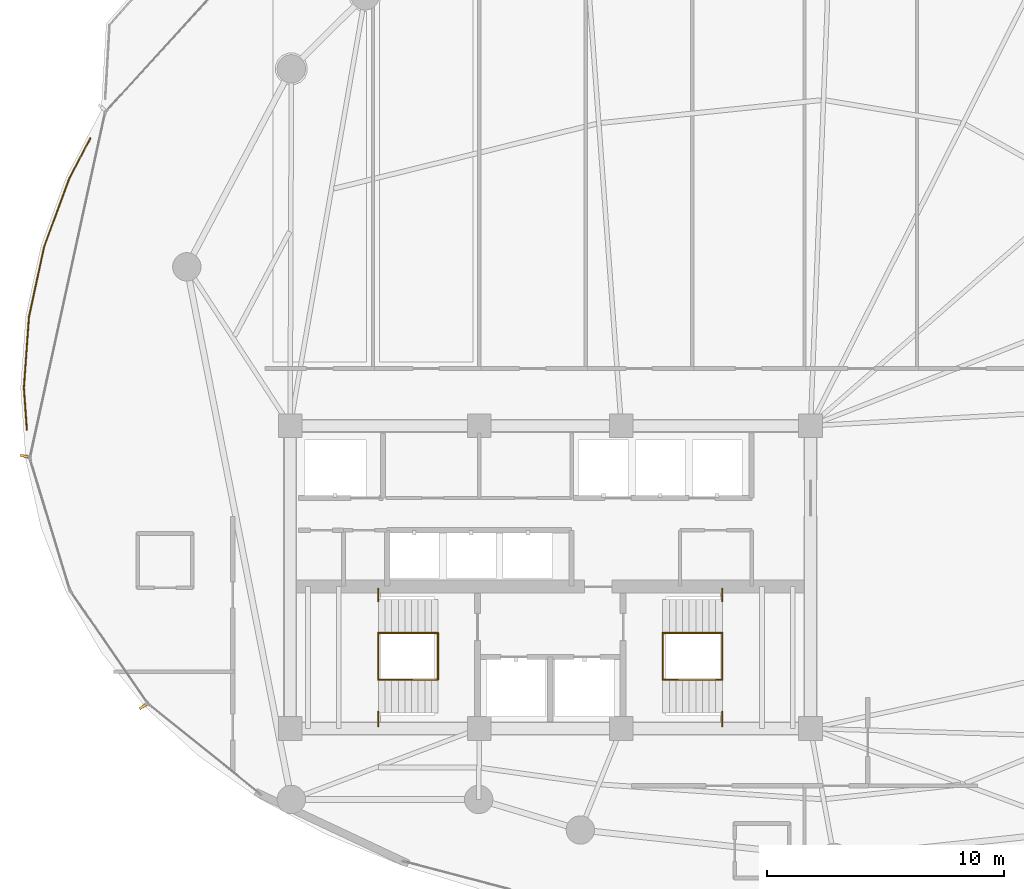
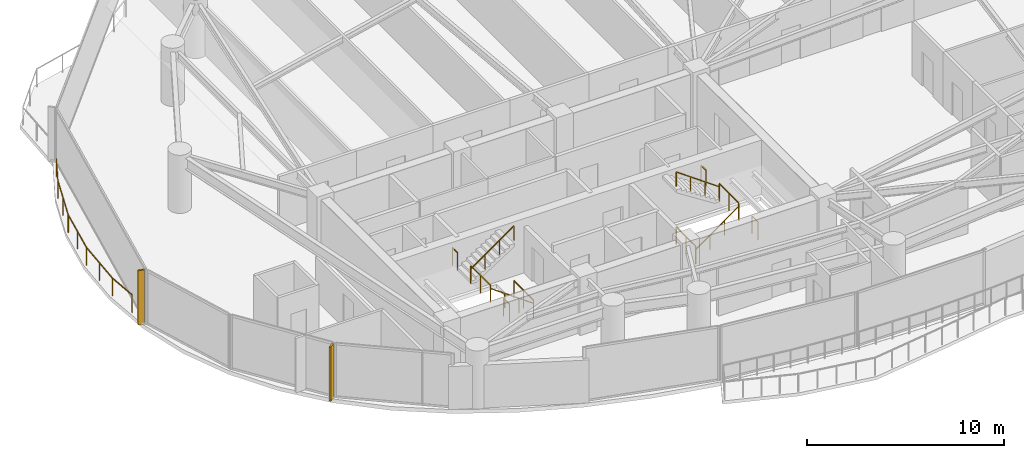
# One storey, part 31 of 34: 13 railings, 2 shading devices.
"""IFC4 building model written with IfcOpenShell, lengths in metres."""

from ifc_helpers import new_model, si_unit, direction, frame, origin, origin_2d, place, context, subcontext, project, spatial, rectangle, extrude, material, type_object, element, save


model = new_model("IFC4")

# Units and contexts
model_context = context("Model", 3, precision=1e-05, world=origin(), true_north=direction((0.0, 1.0)))
body_context = subcontext(model_context, "Body", "Model", "MODEL_VIEW")
ifc_project = project(units=[si_unit("LENGTHUNIT", "METRE"), si_unit("AREAUNIT", "SQUARE_METRE"), si_unit("VOLUMEUNIT", "CUBIC_METRE"), si_unit("PLANEANGLEUNIT", "RADIAN"), si_unit("MASSUNIT", "GRAM", prefix="KILO")], contexts=[model_context])

# Site, building, storey
site_placement = place(None, origin())
site = spatial("IfcSite", under=ifc_project, at=site_placement, CompositionType="ELEMENT")
building_placement = place(site_placement, origin())
building = spatial("IfcBuilding", under=site, at=building_placement, Name="Kazevale Care Tower and Concert Hall", CompositionType="ELEMENT")
storey_placement = place(building_placement, frame((0.0, 0.0, 171.0)))
storey = spatial("IfcBuildingStorey", under=building, at=storey_placement, Name="L45", CompositionType="ELEMENT", Elevation=171.0)

# Railings
ifc_material_1 = material(Name="Anodised Bronze Aluminium and Laminated Glass", Category="aluminium")
railing_type_1 = type_object("IfcRailingType", Name="Balcony and Terrace Balustrade 1120", PredefinedType="BALUSTRADE", material=ifc_material_1)
railing_1_placement = place(storey_placement, frame((10.867919921875, 36.22705078125, 0.0)))
element("IfcRailing", 1, at=railing_1_placement, inside=storey, type_object=railing_type_1, Name="rail:L45:perim:1", PredefinedType="BALUSTRADE", context=body_context, shape_type="SweptSolid", body=[
    extrude(rectangle(XDim=0.048095703125, YDim=0.048095703125, at=origin_2d()), frame((0.0, 0.0, 1.09619140625), z_axis=(-0.071969318028, 0.997406846409, 0.0), x_axis=(-0.997406846409, -0.071969318028, 0.0)), (0.0, 0.0, 1.0), 1.777587890625),
    extrude(rectangle(XDim=0.048095703125, YDim=0.048095703125, at=origin_2d()), frame((-0.1279296875, 1.77294921875, 1.09619140625), z_axis=(0.071442989214, 0.997444684828, 0.0), x_axis=(-0.997444684828, 0.071442989214, 0.0)), (0.0, 0.0, 1.0), 3.0107421875),
    extrude(rectangle(XDim=0.048095703125, YDim=0.048095703125, at=origin_2d()), frame((0.087158203125, 4.77587890625, 1.09619140625), z_axis=(0.211501042265, 0.97737777196, 0.0), x_axis=(-0.97737777196, 0.211501042265, 0.0)), (0.0, 0.0, 1.0), 3.03466796875),
    extrude(rectangle(XDim=0.048095703125, YDim=0.048095703125, at=origin_2d()), frame((0.72900390625, 7.741943359375, 1.09619140625), z_axis=(0.344808910619, 0.938672901046, 0.0), x_axis=(-0.938672901046, 0.344808910619, 0.0)), (0.0, 0.0, 1.0), 3.080078125),
    extrude(rectangle(XDim=0.048095703125, YDim=0.048095703125, at=origin_2d()), frame((1.791015625, 10.633056640625, 1.09619140625), z_axis=(0.466764151967, 0.884381832942, 0.0), x_axis=(-0.884381832942, 0.466764151967, 0.0)), (0.0, 0.0, 1.0), 1.91748046875),
    extrude(rectangle(XDim=0.0419921875, YDim=0.0419921875, at=origin_2d()), origin(), (0.0, 0.0, 1.0), 1.072021484375),
    extrude(rectangle(XDim=0.0419921875, YDim=0.0419921875, at=origin_2d()), frame((-0.1279296875, 1.77294921875, 0.0)), (0.0, 0.0, 1.0), 1.072021484375),
    extrude(rectangle(XDim=0.0419921875, YDim=0.0419921875, at=origin_2d()), frame((-0.0205078125, 3.2744140625, 0.0)), (0.0, 0.0, 1.0), 1.072021484375),
    extrude(rectangle(XDim=0.0419921875, YDim=0.0419921875, at=origin_2d()), frame((0.087158203125, 4.77587890625, 0.0)), (0.0, 0.0, 1.0), 1.072021484375),
    extrude(rectangle(XDim=0.0419921875, YDim=0.0419921875, at=origin_2d()), frame((0.408203125, 6.2587890625, 0.0)), (0.0, 0.0, 1.0), 1.072021484375),
    extrude(rectangle(XDim=0.0419921875, YDim=0.0419921875, at=origin_2d()), frame((0.72900390625, 7.741943359375, 0.0)), (0.0, 0.0, 1.0), 1.072021484375),
    extrude(rectangle(XDim=0.0419921875, YDim=0.0419921875, at=origin_2d()), frame((1.260009765625, 9.1875, 0.0)), (0.0, 0.0, 1.0), 1.072021484375),
    extrude(rectangle(XDim=0.0419921875, YDim=0.0419921875, at=origin_2d()), frame((1.791015625, 10.633056640625, 0.0)), (0.0, 0.0, 1.0), 1.072021484375),
    extrude(rectangle(XDim=0.0419921875, YDim=0.0419921875, at=origin_2d()), frame((2.68603515625, 12.328857421875, 0.0)), (0.0, 0.0, 1.0), 1.072021484375),
])
ifc_material_2 = material(Name="Stainless Steel 316", Category="steel")
railing_type_2 = type_object("IfcRailingType", Name="Stair Pitch Handrail 920", PredefinedType="HANDRAIL", material=ifc_material_2)
railing_2_placement = place(storey_placement, frame((28.25, 25.659912109375, 0.0)))
element("IfcRailing", 2, at=railing_2_placement, inside=storey, type_object=railing_type_2, Name="stair:L45:ST1:hr1", PredefinedType="HANDRAIL", context=body_context, shape_type="SweptSolid", body=[
    extrude(rectangle(XDim=0.048095703125, YDim=0.048095703125, at=origin_2d()), frame((0.0, 0.0, 0.89599609375), z_axis=(-0.813728144527, 0.0, 0.581245650998), x_axis=(0.0, -1.0, 0.0)), (0.0, 0.0, 1.0), 3.096923828125),
    extrude(rectangle(XDim=0.0419921875, YDim=0.0419921875, at=origin_2d()), origin(), (0.0, 0.0, 1.0), 0.871826171875),
    extrude(rectangle(XDim=0.0419921875, YDim=0.0419921875, at=origin_2d()), frame((-0.840087890625, 0.0, 0.60009765625)), (0.0, 0.0, 1.0), 0.871826171875),
    extrude(rectangle(XDim=0.0419921875, YDim=0.0419921875, at=origin_2d()), frame((-1.679931640625, 0.0, 1.199951171875)), (0.0, 0.0, 1.0), 0.871826171875),
    extrude(rectangle(XDim=0.0419921875, YDim=0.0419921875, at=origin_2d()), frame((-2.52001953125, 0.0, 1.800048828125)), (0.0, 0.0, 1.0), 0.871826171875),
])
for number, where, name in (
    (3, (25.72998046875, 27.639892578125, 1.800048828125), "stair:L45:ST1:hr2"),
    (4, (37.75, 25.659912109375, 0.0), "stair:L45:ST2:hr1"),
):
    element("IfcRailing", number, at=place(storey_placement, frame(where)), inside=storey, type_object=railing_type_2, Name=name, PredefinedType="HANDRAIL", context=body_context, shape_type="SweptSolid", body=[
        extrude(rectangle(XDim=0.048095703125, YDim=0.048095703125, at=origin_2d()), frame((0.0, 0.0, 0.89599609375), z_axis=(0.813728144527, 0.0, 0.581245650998), x_axis=(0.0, 1.0, 0.0)), (0.0, 0.0, 1.0), 3.096923828125),
        extrude(rectangle(XDim=0.0419921875, YDim=0.0419921875, at=origin_2d()), origin(), (0.0, 0.0, 1.0), 0.871826171875),
        extrude(rectangle(XDim=0.0419921875, YDim=0.0419921875, at=origin_2d()), frame((0.840087890625, 0.0, 0.60009765625)), (0.0, 0.0, 1.0), 0.871826171875),
        extrude(rectangle(XDim=0.0419921875, YDim=0.0419921875, at=origin_2d()), frame((1.679931640625, 0.0, 1.199951171875)), (0.0, 0.0, 1.0), 0.871826171875),
        extrude(rectangle(XDim=0.0419921875, YDim=0.0419921875, at=origin_2d()), frame((2.52001953125, 0.0, 1.800048828125)), (0.0, 0.0, 1.0), 0.871826171875),
    ])
railing_3_placement = place(storey_placement, frame((40.27001953125, 27.639892578125, 1.800048828125)))
element("IfcRailing", 5, at=railing_3_placement, inside=storey, type_object=railing_type_2, Name="stair:L45:ST2:hr2", PredefinedType="HANDRAIL", context=body_context, shape_type="SweptSolid", body=[
    extrude(rectangle(XDim=0.048095703125, YDim=0.048095703125, at=origin_2d()), frame((0.0, 0.0, 0.89599609375), z_axis=(-0.813728144527, 0.0, 0.581245650998), x_axis=(0.0, -1.0, 0.0)), (0.0, 0.0, 1.0), 3.096923828125),
    extrude(rectangle(XDim=0.0419921875, YDim=0.0419921875, at=origin_2d()), origin(), (0.0, 0.0, 1.0), 0.871826171875),
    extrude(rectangle(XDim=0.0419921875, YDim=0.0419921875, at=origin_2d()), frame((-0.840087890625, 0.0, 0.60009765625)), (0.0, 0.0, 1.0), 0.871826171875),
    extrude(rectangle(XDim=0.0419921875, YDim=0.0419921875, at=origin_2d()), frame((-1.679931640625, 0.0, 1.199951171875)), (0.0, 0.0, 1.0), 0.871826171875),
    extrude(rectangle(XDim=0.0419921875, YDim=0.0419921875, at=origin_2d()), frame((-2.52001953125, 0.0, 1.800048828125)), (0.0, 0.0, 1.0), 0.871826171875),
])
railing_type_3 = type_object("IfcRailingType", Name="Stair Well Guard Balustrade 1120", PredefinedType="BALUSTRADE", material=ifc_material_2)
railing_4_placement = place(storey_placement, frame((25.72998046875, 23.699951171875, 1.800048828125)))
element("IfcRailing", 6, at=railing_4_placement, inside=storey, type_object=railing_type_3, Name="stair:L45:ST1:grd_side1", PredefinedType="BALUSTRADE", context=body_context, shape_type="SweptSolid", body=[
    extrude(rectangle(XDim=0.048095703125, YDim=0.048095703125, at=origin_2d()), frame((0.0, 0.0, 1.09619140625), z_axis=(0.0, 1.0, 0.0), x_axis=(-1.0, 0.0, 0.0)), (0.0, 0.0, 1.0), 0.610107421875),
    extrude(rectangle(XDim=0.0419921875, YDim=0.0419921875, at=origin_2d()), origin(), (0.0, 0.0, 1.0), 1.072021484375),
    extrude(rectangle(XDim=0.0419921875, YDim=0.0419921875, at=origin_2d()), frame((0.0, 0.610107421875, 0.0)), (0.0, 0.0, 1.0), 1.072021484375),
])
railing_5_placement = place(storey_placement, frame((25.72998046875, 28.989990234375, 1.800048828125)))
element("IfcRailing", 7, at=railing_5_placement, inside=storey, type_object=railing_type_3, Name="stair:L45:ST1:grd_side2", PredefinedType="BALUSTRADE", context=body_context, shape_type="SweptSolid", body=[
    extrude(rectangle(XDim=0.048095703125, YDim=0.048095703125, at=origin_2d()), frame((0.0, 0.0, 1.09619140625), z_axis=(0.0, 1.0, 0.0), x_axis=(-1.0, 0.0, 0.0)), (0.0, 0.0, 1.0), 0.510009765625),
    extrude(rectangle(XDim=0.0419921875, YDim=0.0419921875, at=origin_2d()), origin(), (0.0, 0.0, 1.0), 1.072021484375),
    extrude(rectangle(XDim=0.0419921875, YDim=0.0419921875, at=origin_2d()), frame((0.0, 0.510009765625, 0.0)), (0.0, 0.0, 1.0), 1.072021484375),
])
for number, where, name in (
    (8, (25.72998046875, 25.659912109375, 1.800048828125), "stair:L45:ST1:grd_mid"),
    (9, (28.25, 25.659912109375, 0.0), "stair:L45:ST1:grd_flr"),
):
    element("IfcRailing", number, at=place(storey_placement, frame(where)), inside=storey, type_object=railing_type_3, Name=name, PredefinedType="BALUSTRADE", context=body_context, shape_type="SweptSolid", body=[
        extrude(rectangle(XDim=0.048095703125, YDim=0.048095703125, at=origin_2d()), frame((0.0, 0.0, 1.09619140625), z_axis=(0.0, 1.0, 0.0), x_axis=(-1.0, 0.0, 0.0)), (0.0, 0.0, 1.0), 1.97998046875),
        extrude(rectangle(XDim=0.0419921875, YDim=0.0419921875, at=origin_2d()), origin(), (0.0, 0.0, 1.0), 1.072021484375),
        extrude(rectangle(XDim=0.0419921875, YDim=0.0419921875, at=origin_2d()), frame((0.0, 0.989990234375, 0.0)), (0.0, 0.0, 1.0), 1.072021484375),
        extrude(rectangle(XDim=0.0419921875, YDim=0.0419921875, at=origin_2d()), frame((0.0, 1.97998046875, 0.0)), (0.0, 0.0, 1.0), 1.072021484375),
    ])
railing_6_placement = place(storey_placement, frame((40.27001953125, 23.699951171875, 1.800048828125)))
element("IfcRailing", 10, at=railing_6_placement, inside=storey, type_object=railing_type_3, Name="stair:L45:ST2:grd_side1", PredefinedType="BALUSTRADE", context=body_context, shape_type="SweptSolid", body=[
    extrude(rectangle(XDim=0.048095703125, YDim=0.048095703125, at=origin_2d()), frame((0.0, 0.0, 1.09619140625), z_axis=(0.0, 1.0, 0.0), x_axis=(-1.0, 0.0, 0.0)), (0.0, 0.0, 1.0), 0.610107421875),
    extrude(rectangle(XDim=0.0419921875, YDim=0.0419921875, at=origin_2d()), origin(), (0.0, 0.0, 1.0), 1.072021484375),
    extrude(rectangle(XDim=0.0419921875, YDim=0.0419921875, at=origin_2d()), frame((0.0, 0.610107421875, 0.0)), (0.0, 0.0, 1.0), 1.072021484375),
])
railing_7_placement = place(storey_placement, frame((40.27001953125, 28.989990234375, 1.800048828125)))
element("IfcRailing", 11, at=railing_7_placement, inside=storey, type_object=railing_type_3, Name="stair:L45:ST2:grd_side2", PredefinedType="BALUSTRADE", context=body_context, shape_type="SweptSolid", body=[
    extrude(rectangle(XDim=0.048095703125, YDim=0.048095703125, at=origin_2d()), frame((0.0, 0.0, 1.09619140625), z_axis=(0.0, 1.0, 0.0), x_axis=(-1.0, 0.0, 0.0)), (0.0, 0.0, 1.0), 0.510009765625),
    extrude(rectangle(XDim=0.0419921875, YDim=0.0419921875, at=origin_2d()), origin(), (0.0, 0.0, 1.0), 1.072021484375),
    extrude(rectangle(XDim=0.0419921875, YDim=0.0419921875, at=origin_2d()), frame((0.0, 0.510009765625, 0.0)), (0.0, 0.0, 1.0), 1.072021484375),
])
for number, where, name in (
    (12, (40.27001953125, 25.659912109375, 1.800048828125), "stair:L45:ST2:grd_mid"),
    (13, (37.75, 25.659912109375, 0.0), "stair:L45:ST2:grd_flr"),
):
    element("IfcRailing", number, at=place(storey_placement, frame(where)), inside=storey, type_object=railing_type_3, Name=name, PredefinedType="BALUSTRADE", context=body_context, shape_type="SweptSolid", body=[
        extrude(rectangle(XDim=0.048095703125, YDim=0.048095703125, at=origin_2d()), frame((0.0, 0.0, 1.09619140625), z_axis=(0.0, 1.0, 0.0), x_axis=(-1.0, 0.0, 0.0)), (0.0, 0.0, 1.0), 1.97998046875),
        extrude(rectangle(XDim=0.0419921875, YDim=0.0419921875, at=origin_2d()), origin(), (0.0, 0.0, 1.0), 1.072021484375),
        extrude(rectangle(XDim=0.0419921875, YDim=0.0419921875, at=origin_2d()), frame((0.0, 0.989990234375, 0.0)), (0.0, 0.0, 1.0), 1.072021484375),
        extrude(rectangle(XDim=0.0419921875, YDim=0.0419921875, at=origin_2d()), frame((0.0, 1.97998046875, 0.0)), (0.0, 0.0, 1.0), 1.072021484375),
    ])

# Shading devices
ifc_material_3 = material(Name="Anodised Bronze Aluminium", Category="aluminium")
shading_device_type = type_object("IfcShadingDeviceType", Name="Waist Anodised Bronze-Stone Fin FIN-02", PredefinedType="USERDEFINED", material=ifc_material_3)
for number, where, z_axis, x_axis, name in (
    (14, (15.7705078125, 24.525634765625, 0.0), (0.0, 0.0, 1.0), (-0.823334533242, -0.567556381667, 0.0), "cw:L45:f11:fin"),
    (15, (10.75341796875, 35.11767578125, 0.0), (0.0, 0.0, 1.0), (-0.97708274037, 0.212859856409, 0.0), "cw:L45:f13:fin"),
):
    element("IfcShadingDevice", number, at=place(storey_placement, frame(where, z_axis=z_axis, x_axis=x_axis)), inside=storey, type_object=shading_device_type, Name=name, ObjectType="FIN", PredefinedType="USERDEFINED", context=body_context, shape_type="SweptSolid", body=[
        extrude(rectangle(XDim=0.340087890625, YDim=0.10009765625, at=origin_2d()), origin(), (0.0, 0.0, 1.0), 3.360107421875),
    ])

save(model, "model.ifc")
